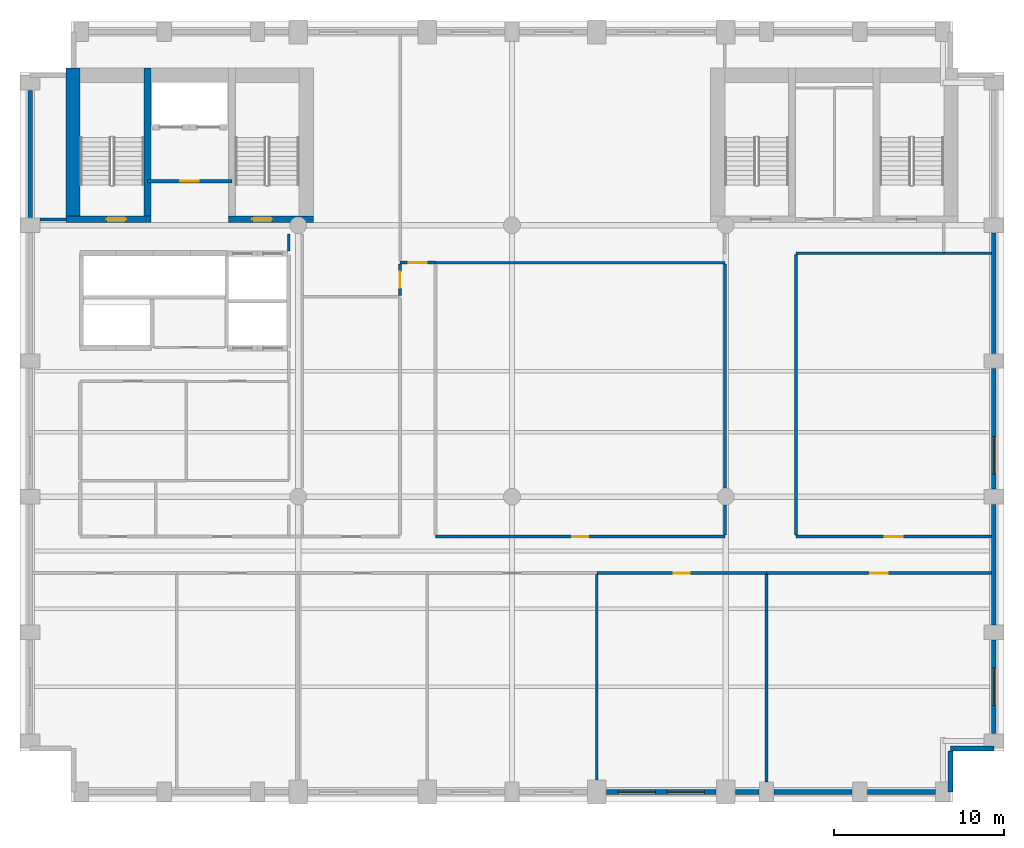
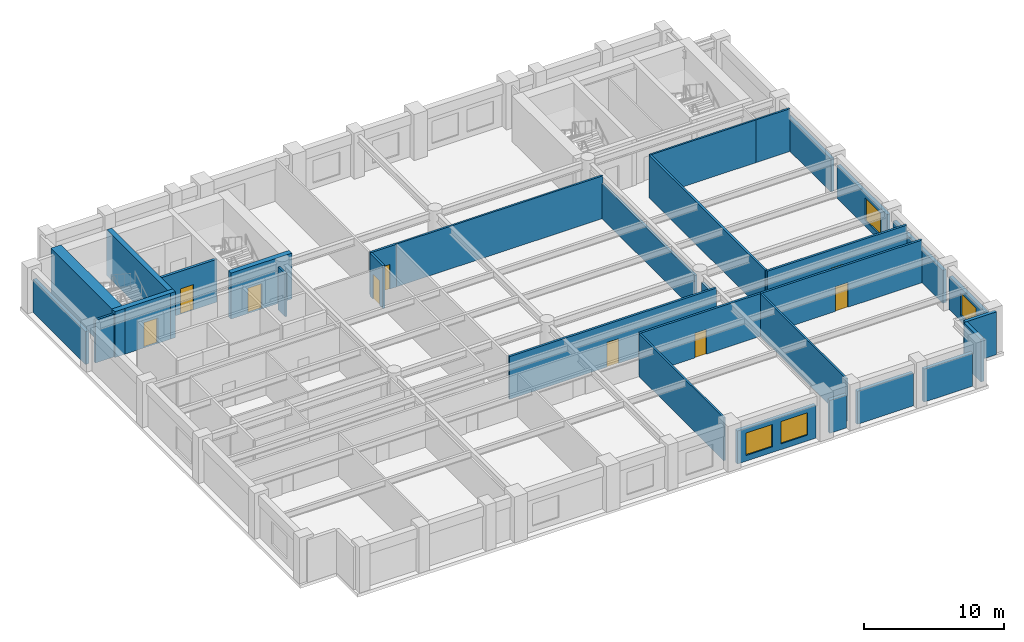
# One storey, part 4 of 8: 32 walls, 9 doors, 4 windows, 13 openings.
"""IFC4 building model written with IfcOpenShell, lengths in metres."""

from ifc_helpers import new_model, si_unit, direction, frame, frame_2d, origin, place, context, subcontext, project, spatial, rectangle, extrude, material, layer, layer_set, type_object, element, fill, save


model = new_model("IFC4")

# Units and contexts
model_context = context("Model", 3, precision=1e-05, world=origin(), true_north=direction((0.0, 1.0)))
body_context = subcontext(model_context, "Body", "Model", "MODEL_VIEW")
ifc_project = project(units=[si_unit("LENGTHUNIT", "METRE"), si_unit("AREAUNIT", "SQUARE_METRE"), si_unit("VOLUMEUNIT", "CUBIC_METRE"), si_unit("PLANEANGLEUNIT", "RADIAN"), si_unit("MASSUNIT", "GRAM", prefix="KILO")], contexts=[model_context])

# Site, building, storey
site_placement = place(None, origin())
site = spatial("IfcSite", under=ifc_project, at=site_placement, CompositionType="ELEMENT")
building_placement = place(site_placement, origin())
building = spatial("IfcBuilding", under=site, at=building_placement, Name="Sulina Concourse Tower", CompositionType="ELEMENT")
storey_placement = place(building_placement, frame((0.0, 0.0, 132.60009765625)))
storey = spatial("IfcBuildingStorey", under=building, at=storey_placement, Name="L32", CompositionType="ELEMENT", Elevation=132.60009765625)

# Wall, opening, door
ifc_material_1 = material(Name="Gypsum board on steel stud", Category="steel")
ifc_layer_1 = layer(ifc_material_1, 0.219970703125)
ifc_layer_set_1 = layer_set([ifc_layer_1], Name="Gypsum board on steel stud")
wall_type_1 = type_object("IfcWallType", Name="Fire-Rated Lobby & Compartment Wall 220mm", PredefinedType="PARTITIONING", material=ifc_layer_set_1)
wall_1_placement = place(storey_placement, frame((7.510009765625, 36.60009765625, 0.0), z_axis=(0.0, 0.0, 1.0), x_axis=(1.0, 0.0, 0.0)))
wall_1 = element("IfcWall", 1, at=wall_1_placement, inside=storey, type_object=wall_type_1, Name="L32 firefighting lobby south fire wall", PredefinedType="PARTITIONING", context=body_context, shape_type="SweptSolid", body=[
    extrude(rectangle(XDim=4.97998046875, YDim=0.219970703125, at=frame_2d((2.489990234375, 0.0))), origin(), (0.0, 0.0, 1.0), 3.724853515625),
])
opening_1_placement = place(wall_1_placement, frame((1.93994140625, 0.0, 0.0)))
opening_1 = element("IfcOpeningElement", 2, at=opening_1_placement, cuts=wall_1, Name="Opening DR-47", PredefinedType="OPENING", context=body_context, shape_type="SweptSolid", body=[
    extrude(rectangle(XDim=1.10009765625, YDim=2.199951171875, at=frame_2d((0.550048828125, 1.10009765625))), frame((0.0, 0.119873046875, 0.0), z_axis=(0.0, -1.0, 0.0), x_axis=(1.0, 0.0, 0.0)), (0.0, 0.0, 1.0), 0.239990234375),
])
ifc_material_2 = material(Name="Galvanised steel acoustic fire leaf", Category="steel")
ifc_layer_2 = layer(ifc_material_2, 0.054931640625)
ifc_layer_set_2 = layer_set([ifc_layer_2], Name="Galvanised steel acoustic fire leaf")
door_type_1 = type_object("IfcDoorType", Name="Firefighting Lobby Fire Door 1100x2200", OperationType="NOTDEFINED", PredefinedType="DOOR", material=ifc_layer_set_2)
door_1_placement = place(opening_1_placement, origin())
door_1 = element("IfcDoor", 3, at=door_1_placement, inside=storey, type_object=door_type_1, Name="L32 firefighting lobby fire door", OperationType="SINGLE_SWING_LEFT", OverallHeight=2.199951171875, OverallWidth=1.10009765625, PredefinedType="DOOR", context=body_context, shape_type="SweptSolid", body=[
    extrude(rectangle(XDim=1.10009765625, YDim=2.199951171875, at=frame_2d((0.550048828125, 1.10009765625))), frame((0.0, 0.02490234375, 0.0), z_axis=(0.0, -1.0, 0.0), x_axis=(1.0, 0.0, 0.0)), (0.0, 0.0, 1.0), 0.050048828125),
])
fill(opening_1, door_1)

# Walls
ifc_material_3 = material(Name="Gypsum board on steel stud", Category="steel")
ifc_layer_3 = layer(ifc_material_3, 0.14990234375)
ifc_layer_set_3 = layer_set([ifc_layer_3], Name="Gypsum board on steel stud")
wall_type_2 = type_object("IfcWallType", Name="Inter-Tenancy Acoustic Partition 150mm", PredefinedType="PARTITIONING", material=ifc_layer_set_3)
wall_2_placement = place(storey_placement, frame((24.5, 31.800048828125, 0.0), z_axis=(0.0, 0.0, 1.0), x_axis=(1.0, 0.0, 0.0)))
element("IfcWall", 4, at=wall_2_placement, inside=storey, type_object=wall_type_2, Name="L32 interior partition 021", PredefinedType="PARTITIONING", context=body_context, shape_type="SweptSolid", body=[
    extrude(rectangle(XDim=17.050048828125, YDim=0.14990234375, at=frame_2d((8.52490234375, 0.0))), origin(), (0.0, 0.0, 1.0), 3.724853515625),
])
wall_3_placement = place(storey_placement, frame((45.75, 32.35009765625, 0.0), z_axis=(0.0, 0.0, 1.0), x_axis=(1.0, 0.0, 0.0)))
element("IfcWall", 5, at=wall_3_placement, inside=storey, type_object=wall_type_2, Name="L32 interior partition 022", PredefinedType="PARTITIONING", context=body_context, shape_type="SweptSolid", body=[
    extrude(rectangle(XDim=8.699951171875, YDim=0.14990234375, at=frame_2d((4.35009765625, 0.0))), origin(), (0.0, 0.0, 1.0), 3.724853515625),
])
wall_4_placement = place(storey_placement, frame((54.449951171875, 32.35009765625, 0.0), z_axis=(0.0, 0.0, 1.0), x_axis=(1.0, 0.0, 0.0)))
element("IfcWall", 6, at=wall_4_placement, inside=storey, type_object=wall_type_2, Name="L32 interior partition 023", PredefinedType="PARTITIONING", context=body_context, shape_type="SweptSolid", body=[
    extrude(rectangle(XDim=2.81005859375, YDim=0.14990234375, at=frame_2d((1.405029296875, 0.0))), origin(), (0.0, 0.0, 1.0), 3.724853515625),
])
wall_5_placement = place(storey_placement, frame((15.85009765625, 32.469970703125, 0.0), z_axis=(0.0, 0.0, 1.0), x_axis=(0.0, 1.0, 0.0)))
element("IfcWall", 7, at=wall_5_placement, inside=storey, type_object=wall_type_2, Name="L32 interior partition 035", PredefinedType="PARTITIONING", context=body_context, shape_type="SweptSolid", body=[
    extrude(rectangle(XDim=1.030029296875, YDim=0.14990234375, at=frame_2d((0.51513671875, 0.0))), origin(), (0.0, 0.0, 1.0), 3.724853515625),
])
wall_6_placement = place(storey_placement, frame((34.0, 1.300048828125, 0.0), z_axis=(0.0, 0.0, 1.0), x_axis=(0.0, 1.0, 0.0)))
element("IfcWall", 8, at=wall_6_placement, inside=storey, type_object=wall_type_2, Name="L32 interior partition 045", PredefinedType="PARTITIONING", context=body_context, shape_type="SweptSolid", body=[
    extrude(rectangle(XDim=12.10986328125, YDim=0.14990234375, at=frame_2d((6.054931640625, 0.0))), origin(), (0.0, 0.0, 1.0), 3.724853515625),
])
wall_7_placement = place(storey_placement, frame((44.0, 1.175048828125, 0.0), z_axis=(0.0, 0.0, 1.0), x_axis=(0.0, 1.0, 0.0)))
element("IfcWall", 9, at=wall_7_placement, inside=storey, type_object=wall_type_2, Name="L32 interior partition 050", PredefinedType="PARTITIONING", context=body_context, shape_type="SweptSolid", body=[
    extrude(rectangle(XDim=12.23486328125, YDim=0.14990234375, at=frame_2d((6.117431640625, 0.0))), origin(), (0.0, 0.0, 1.0), 3.724853515625),
])

# Wall, opening, door
ifc_material_4 = material(Name="Gypsum board on steel stud", Category="steel")
ifc_layer_4 = layer(ifc_material_4, 0.179931640625)
ifc_layer_set_4 = layer_set([ifc_layer_4], Name="Gypsum board on steel stud")
wall_type_3 = type_object("IfcWallType", Name="Protected Corridor & Riser Partition 180mm", PredefinedType="PARTITIONING", material=ifc_layer_set_4)
wall_8_placement = place(storey_placement, frame((34.0, 13.5, 0.0), z_axis=(0.0, 0.0, 1.0), x_axis=(1.0, 0.0, 0.0)))
wall_8 = element("IfcWall", 10, at=wall_8_placement, inside=storey, type_object=wall_type_3, Name="L32 interior partition 005", PredefinedType="PARTITIONING", context=body_context, shape_type="SweptSolid", body=[
    extrude(rectangle(XDim=10.0, YDim=0.179931640625, at=frame_2d((5.0, 0.0))), origin(), (0.0, 0.0, 1.0), 3.724853515625),
])
opening_2_placement = place(wall_8_placement, frame((4.52490234375, 0.0, 0.0)))
opening_2 = element("IfcOpeningElement", 11, at=opening_2_placement, cuts=wall_8, Name="Opening DR-19", PredefinedType="OPENING", context=body_context, shape_type="SweptSolid", body=[
    extrude(rectangle(XDim=0.949951171875, YDim=2.14990234375, at=frame_2d((0.47509765625, 1.074951171875))), frame((0.0, 0.099853515625, 0.0), z_axis=(0.0, -1.0, 0.0), x_axis=(1.0, 0.0, 0.0)), (0.0, 0.0, 1.0), 0.199951171875),
])
ifc_material_5 = material(Name="Oak-veneered acoustic timber leaf", Category="wood")
ifc_layer_5 = layer(ifc_material_5, 0.050048828125)
ifc_layer_set_5 = layer_set([ifc_layer_5], Name="Oak-veneered acoustic timber leaf")
door_type_2 = type_object("IfcDoorType", Name="Cellular Office & Meeting Door 950x2150", OperationType="NOTDEFINED", PredefinedType="DOOR", material=ifc_layer_set_5)
door_2_placement = place(opening_2_placement, origin())
door_2 = element("IfcDoor", 12, at=door_2_placement, inside=storey, type_object=door_type_2, Name="L32 interior door L32-S05", OperationType="SINGLE_SWING_RIGHT", OverallHeight=2.14990234375, OverallWidth=0.949951171875, PredefinedType="DOOR", context=body_context, shape_type="SweptSolid", body=[
    extrude(rectangle(XDim=0.949951171875, YDim=2.14990234375, at=frame_2d((0.47509765625, 1.074951171875))), frame((0.0, 0.02490234375, 0.0), z_axis=(0.0, -1.0, 0.0), x_axis=(1.0, 0.0, 0.0)), (0.0, 0.0, 1.0), 0.050048828125),
])
fill(opening_2, door_2)

wall_9_placement = place(storey_placement, frame((44.0, 13.5, 0.0), z_axis=(0.0, 0.0, 1.0), x_axis=(1.0, 0.0, 0.0)))
wall_9 = element("IfcWall", 13, at=wall_9_placement, inside=storey, type_object=wall_type_3, Name="L32 interior partition 006", PredefinedType="PARTITIONING", context=body_context, shape_type="SweptSolid", body=[
    extrude(rectangle(XDim=13.260009765625, YDim=0.179931640625, at=frame_2d((6.6298828125, 0.0))), origin(), (0.0, 0.0, 1.0), 3.724853515625),
])
opening_3_placement = place(wall_9_placement, frame((6.10498046875, 0.0, 0.0)))
opening_3 = element("IfcOpeningElement", 14, at=opening_3_placement, cuts=wall_9, Name="Opening DR-37", PredefinedType="OPENING", context=body_context, shape_type="SweptSolid", body=[
    extrude(rectangle(XDim=1.050048828125, YDim=2.14990234375, at=frame_2d((0.52490234375, 1.074951171875))), frame((0.0, 0.099853515625, 0.0), z_axis=(0.0, -1.0, 0.0), x_axis=(1.0, 0.0, 0.0)), (0.0, 0.0, 1.0), 0.199951171875),
])
ifc_material_6 = material(Name="Oak-veneered fire door leaf")
ifc_layer_6 = layer(ifc_material_6, 0.050048828125)
ifc_layer_set_6 = layer_set([ifc_layer_6], Name="Oak-veneered fire door leaf")
door_type_3 = type_object("IfcDoorType", Name="Tenant Suite Entrance Fire Door 1050x2150", OperationType="NOTDEFINED", PredefinedType="DOOR", material=ifc_layer_set_6)
door_3_placement = place(opening_3_placement, origin())
door_3 = element("IfcDoor", 15, at=door_3_placement, inside=storey, type_object=door_type_3, Name="L32 interior door L32-S06", OperationType="SINGLE_SWING_LEFT", OverallHeight=2.14990234375, OverallWidth=1.050048828125, PredefinedType="DOOR", context=body_context, shape_type="SweptSolid", body=[
    extrude(rectangle(XDim=1.050048828125, YDim=2.14990234375, at=frame_2d((0.52490234375, 1.074951171875))), frame((0.0, 0.02490234375, 0.0), z_axis=(0.0, -1.0, 0.0), x_axis=(1.0, 0.0, 0.0)), (0.0, 0.0, 1.0), 0.050048828125),
])
fill(opening_3, door_3)

wall_10_placement = place(storey_placement, frame((24.5, 15.64990234375, 0.0), z_axis=(0.0, 0.0, 1.0), x_axis=(1.0, 0.0, 0.0)))
wall_10 = element("IfcWall", 16, at=wall_10_placement, inside=storey, type_object=wall_type_3, Name="L32 interior partition 011", PredefinedType="PARTITIONING", context=body_context, shape_type="SweptSolid", body=[
    extrude(rectangle(XDim=17.050048828125, YDim=0.179931640625, at=frame_2d((8.52490234375, 0.0))), origin(), (0.0, 0.0, 1.0), 3.724853515625),
])
opening_4_placement = place(wall_10_placement, frame((8.050048828125, 0.0, 0.0)))
opening_4 = element("IfcOpeningElement", 17, at=opening_4_placement, cuts=wall_10, Name="Opening DR-19", PredefinedType="OPENING", context=body_context, shape_type="SweptSolid", body=[
    extrude(rectangle(XDim=0.949951171875, YDim=2.14990234375, at=frame_2d((0.47509765625, 1.074951171875))), frame((0.0, 0.099853515625, 0.0), z_axis=(0.0, -1.0, 0.0), x_axis=(1.0, 0.0, 0.0)), (0.0, 0.0, 1.0), 0.199951171875),
])
door_4_placement = place(opening_4_placement, origin())
door_4 = element("IfcDoor", 18, at=door_4_placement, inside=storey, type_object=door_type_2, Name="L32 interior door L32-NC3", OperationType="SINGLE_SWING_LEFT", OverallHeight=2.14990234375, OverallWidth=0.949951171875, PredefinedType="DOOR", context=body_context, shape_type="SweptSolid", body=[
    extrude(rectangle(XDim=0.949951171875, YDim=2.14990234375, at=frame_2d((0.47509765625, 1.074951171875))), frame((0.0, 0.02490234375, 0.0), z_axis=(0.0, -1.0, 0.0), x_axis=(1.0, 0.0, 0.0)), (0.0, 0.0, 1.0), 0.050048828125),
])
fill(opening_4, door_4)

wall_11_placement = place(storey_placement, frame((45.75, 15.64990234375, 0.0), z_axis=(0.0, 0.0, 1.0), x_axis=(1.0, 0.0, 0.0)))
wall_11 = element("IfcWall", 19, at=wall_11_placement, inside=storey, type_object=wall_type_3, Name="L32 interior partition 012", PredefinedType="PARTITIONING", context=body_context, shape_type="SweptSolid", body=[
    extrude(rectangle(XDim=11.510009765625, YDim=0.179931640625, at=frame_2d((5.7548828125, 0.0))), origin(), (0.0, 0.0, 1.0), 3.724853515625),
])
opening_5_placement = place(wall_11_placement, frame((5.22998046875, 0.0, 0.0)))
opening_5 = element("IfcOpeningElement", 20, at=opening_5_placement, cuts=wall_11, Name="Opening DR-37", PredefinedType="OPENING", context=body_context, shape_type="SweptSolid", body=[
    extrude(rectangle(XDim=1.050048828125, YDim=2.14990234375, at=frame_2d((0.52490234375, 1.074951171875))), frame((0.0, 0.099853515625, 0.0), z_axis=(0.0, -1.0, 0.0), x_axis=(1.0, 0.0, 0.0)), (0.0, 0.0, 1.0), 0.199951171875),
])
door_5_placement = place(opening_5_placement, origin())
door_5 = element("IfcDoor", 21, at=door_5_placement, inside=storey, type_object=door_type_3, Name="L32 interior door L32-NE1", OperationType="SINGLE_SWING_RIGHT", OverallHeight=2.14990234375, OverallWidth=1.050048828125, PredefinedType="DOOR", context=body_context, shape_type="SweptSolid", body=[
    extrude(rectangle(XDim=1.050048828125, YDim=2.14990234375, at=frame_2d((0.52490234375, 1.074951171875))), frame((0.0, 0.02490234375, 0.0), z_axis=(0.0, -1.0, 0.0), x_axis=(1.0, 0.0, 0.0)), (0.0, 0.0, 1.0), 0.050048828125),
])
fill(opening_5, door_5)

wall_12_placement = place(storey_placement, frame((22.39990234375, 31.800048828125, 0.0), z_axis=(0.0, 0.0, 1.0), x_axis=(1.0, 0.0, 0.0)))
wall_12 = element("IfcWall", 22, at=wall_12_placement, inside=storey, type_object=wall_type_3, Name="L32 interior partition 020", PredefinedType="PARTITIONING", context=body_context, shape_type="SweptSolid", body=[
    extrude(rectangle(XDim=2.10009765625, YDim=0.179931640625, at=frame_2d((1.050048828125, 0.0))), origin(), (0.0, 0.0, 1.0), 3.724853515625),
])
opening_6_placement = place(wall_12_placement, frame((0.52490234375, 0.0, 0.0)))
opening_6 = element("IfcOpeningElement", 23, at=opening_6_placement, cuts=wall_12, Name="Opening DR-37", PredefinedType="OPENING", context=body_context, shape_type="SweptSolid", body=[
    extrude(rectangle(XDim=1.050048828125, YDim=2.14990234375, at=frame_2d((0.52490234375, 1.074951171875))), frame((0.0, 0.099853515625, 0.0), z_axis=(0.0, -1.0, 0.0), x_axis=(1.0, 0.0, 0.0)), (0.0, 0.0, 1.0), 0.199951171875),
])
door_6_placement = place(opening_6_placement, origin())
door_6 = element("IfcDoor", 24, at=door_6_placement, inside=storey, type_object=door_type_3, Name="L32 interior door L32-NC4", OperationType="SINGLE_SWING_RIGHT", OverallHeight=2.14990234375, OverallWidth=1.050048828125, PredefinedType="DOOR", context=body_context, shape_type="SweptSolid", body=[
    extrude(rectangle(XDim=1.050048828125, YDim=2.14990234375, at=frame_2d((0.52490234375, 1.074951171875))), frame((0.0, 0.02490234375, 0.0), z_axis=(0.0, -1.0, 0.0), x_axis=(1.0, 0.0, 0.0)), (0.0, 0.0, 1.0), 0.050048828125),
])
fill(opening_6, door_6)

# Wall
wall_13_placement = place(storey_placement, frame((1.175048828125, 34.35009765625, 0.0), z_axis=(0.0, 0.0, 1.0), x_axis=(1.0, 0.0, 0.0)))
element("IfcWall", 25, at=wall_13_placement, inside=storey, type_object=wall_type_3, Name="L32 interior partition 024", PredefinedType="PARTITIONING", context=body_context, shape_type="SweptSolid", body=[
    extrude(rectangle(XDim=1.52490234375, YDim=0.179931640625, at=frame_2d((0.762451171875, 0.0))), origin(), (0.0, 0.0, 1.0), 3.724853515625),
])

# Wall, opening, door
wall_14_placement = place(storey_placement, frame((22.39990234375, 29.875, 0.0), z_axis=(0.0, 0.0, 1.0), x_axis=(0.0, 1.0, 0.0)))
wall_14 = element("IfcWall", 26, at=wall_14_placement, inside=storey, type_object=wall_type_3, Name="L32 interior partition 041", PredefinedType="PARTITIONING", context=body_context, shape_type="SweptSolid", body=[
    extrude(rectangle(XDim=1.8349609375, YDim=0.179931640625, at=frame_2d((0.91748046875, 0.0))), origin(), (0.0, 0.0, 1.0), 3.724853515625),
])
opening_7_placement = place(wall_14_placement, frame((0.4423828125, 0.0, 0.0)))
opening_7 = element("IfcOpeningElement", 27, at=opening_7_placement, cuts=wall_14, Name="Opening DR-19", PredefinedType="OPENING", context=body_context, shape_type="SweptSolid", body=[
    extrude(rectangle(XDim=0.949951171875, YDim=2.14990234375, at=frame_2d((0.47509765625, 1.074951171875))), frame((0.0, 0.099853515625, 0.0), z_axis=(0.0, -1.0, 0.0), x_axis=(1.0, 0.0, 0.0)), (0.0, 0.0, 1.0), 0.199951171875),
])
door_7_placement = place(opening_7_placement, origin())
door_7 = element("IfcDoor", 28, at=door_7_placement, inside=storey, type_object=door_type_2, Name="L32 interior door L32-NC2", OperationType="SINGLE_SWING_LEFT", OverallHeight=2.14990234375, OverallWidth=0.949951171875, PredefinedType="DOOR", context=body_context, shape_type="SweptSolid", body=[
    extrude(rectangle(XDim=0.949951171875, YDim=2.14990234375, at=frame_2d((0.47509765625, 1.074951171875))), frame((0.0, 0.02490234375, 0.0), z_axis=(0.0, -1.0, 0.0), x_axis=(1.0, 0.0, 0.0)), (0.0, 0.0, 1.0), 0.050048828125),
])
fill(opening_7, door_7)

# Walls
wall_15_placement = place(storey_placement, frame((41.550048828125, 15.739990234375, 0.0), z_axis=(0.0, 0.0, 1.0), x_axis=(0.0, 1.0, 0.0)))
element("IfcWall", 29, at=wall_15_placement, inside=storey, type_object=wall_type_3, Name="L32 interior partition 046", PredefinedType="PARTITIONING", context=body_context, shape_type="SweptSolid", body=[
    extrude(rectangle(XDim=1.760009765625, YDim=0.179931640625, at=frame_2d((0.8798828125, 0.0))), origin(), (0.0, 0.0, 1.0), 3.06982421875),
])
wall_16_placement = place(storey_placement, frame((41.550048828125, 18.5, 0.0), z_axis=(0.0, 0.0, 1.0), x_axis=(0.0, 1.0, 0.0)))
element("IfcWall", 30, at=wall_16_placement, inside=storey, type_object=wall_type_3, Name="L32 interior partition 047", PredefinedType="PARTITIONING", context=body_context, shape_type="SweptSolid", body=[
    extrude(rectangle(XDim=13.22509765625, YDim=0.179931640625, at=frame_2d((6.612548828125, 0.0))), origin(), (0.0, 0.0, 1.0), 3.06982421875),
])
wall_17_placement = place(storey_placement, frame((45.75, 15.739990234375, 0.0), z_axis=(0.0, 0.0, 1.0), x_axis=(0.0, 1.0, 0.0)))
element("IfcWall", 31, at=wall_17_placement, inside=storey, type_object=wall_type_3, Name="L32 interior partition 051", PredefinedType="PARTITIONING", context=body_context, shape_type="SweptSolid", body=[
    extrude(rectangle(XDim=16.534912109375, YDim=0.179931640625, at=frame_2d((8.267578125, 0.0))), origin(), (0.0, 0.0, 1.0), 3.724853515625),
])

# Wall, opening, door
ifc_material_7 = material(Name="Concrete C60/75", Category="concrete")
ifc_layer_7 = layer(ifc_material_7, 0.39990234375)
ifc_layer_set_7 = layer_set([ifc_layer_7], Name="Concrete C60/75")
wall_type_4 = type_object("IfcWallType", Name="Protected Stair Core Shear Wall 400mm", PredefinedType="SHEAR", material=ifc_layer_set_7)
wall_18_placement = place(storey_placement, frame((2.699951171875, 34.35009765625, 0.0), z_axis=(0.0, 0.0, 1.0), x_axis=(1.0, 0.0, 0.0)))
wall_18 = element("IfcWall", 32, at=wall_18_placement, inside=storey, type_object=wall_type_4, Name="L32 west core shear wall CW-WS1", PredefinedType="SHEAR", context=body_context, shape_type="SweptSolid", body=[
    extrude(rectangle(XDim=5.010009765625, YDim=0.39990234375, at=frame_2d((2.5048828125, 0.0))), origin(), (0.0, 0.0, 1.0), 4.0),
])
opening_8_placement = place(wall_18_placement, frame((2.39990234375, 0.0, 0.0)))
opening_8 = element("IfcOpeningElement", 33, at=opening_8_placement, cuts=wall_18, Name="Opening DR-60", PredefinedType="OPENING", context=body_context, shape_type="SweptSolid", body=[
    extrude(rectangle(XDim=1.14990234375, YDim=2.199951171875, at=frame_2d((0.574951171875, 1.10009765625))), frame((0.0, 0.2099609375, 0.0), z_axis=(0.0, -1.0, 0.0), x_axis=(1.0, 0.0, 0.0)), (0.0, 0.0, 1.0), 0.419921875),
])
ifc_material_8 = material(Name="Galvanised steel acoustic fire leaf", Category="steel")
ifc_layer_8 = layer(ifc_material_8, 0.054931640625)
ifc_layer_set_8 = layer_set([ifc_layer_8], Name="Galvanised steel acoustic fire leaf")
door_type_4 = type_object("IfcDoorType", Name="Protected Exit Stair Fire Door 1150x2200", OperationType="NOTDEFINED", PredefinedType="DOOR", material=ifc_layer_set_8)
door_8_placement = place(opening_8_placement, origin())
door_8 = element("IfcDoor", 34, at=door_8_placement, inside=storey, type_object=door_type_4, Name="L32 stair ST-1 lobby fire door", OperationType="SINGLE_SWING_LEFT", OverallHeight=2.199951171875, OverallWidth=1.14990234375, PredefinedType="DOOR", context=body_context, shape_type="SweptSolid", body=[
    extrude(rectangle(XDim=1.14990234375, YDim=2.199951171875, at=frame_2d((0.574951171875, 1.10009765625))), frame((0.0, 0.02490234375, 0.0), z_axis=(0.0, -1.0, 0.0), x_axis=(1.0, 0.0, 0.0)), (0.0, 0.0, 1.0), 0.050048828125),
])
fill(opening_8, door_8)

wall_19_placement = place(storey_placement, frame((12.2900390625, 34.35009765625, 0.0), z_axis=(0.0, 0.0, 1.0), x_axis=(1.0, 0.0, 0.0)))
wall_19 = element("IfcWall", 35, at=wall_19_placement, inside=storey, type_object=wall_type_4, Name="L32 west core shear wall CW-WS2", PredefinedType="SHEAR", context=body_context, shape_type="SweptSolid", body=[
    extrude(rectangle(XDim=5.010009765625, YDim=0.39990234375, at=frame_2d((2.5048828125, 0.0))), origin(), (0.0, 0.0, 1.0), 4.0),
])
opening_9_placement = place(wall_19_placement, frame((1.39990234375, 0.0, 0.0)))
opening_9 = element("IfcOpeningElement", 36, at=opening_9_placement, cuts=wall_19, Name="Opening DR-60", PredefinedType="OPENING", context=body_context, shape_type="SweptSolid", body=[
    extrude(rectangle(XDim=1.14990234375, YDim=2.199951171875, at=frame_2d((0.574951171875, 1.10009765625))), frame((0.0, 0.2099609375, 0.0), z_axis=(0.0, -1.0, 0.0), x_axis=(1.0, 0.0, 0.0)), (0.0, 0.0, 1.0), 0.419921875),
])
door_9_placement = place(opening_9_placement, origin())
door_9 = element("IfcDoor", 37, at=door_9_placement, inside=storey, type_object=door_type_4, Name="L32 stair ST-2 lobby fire door", OperationType="SINGLE_SWING_RIGHT", OverallHeight=2.199951171875, OverallWidth=1.14990234375, PredefinedType="DOOR", context=body_context, shape_type="SweptSolid", body=[
    extrude(rectangle(XDim=1.14990234375, YDim=2.199951171875, at=frame_2d((0.574951171875, 1.10009765625))), frame((0.0, 0.02490234375, 0.0), z_axis=(0.0, -1.0, 0.0), x_axis=(1.0, 0.0, 0.0)), (0.0, 0.0, 1.0), 0.050048828125),
])
fill(opening_9, door_9)

# Walls
wall_20_placement = place(storey_placement, frame((7.510009765625, 34.14990234375, 0.0), z_axis=(0.0, 0.0, 1.0), x_axis=(0.0, 1.0, 0.0)))
element("IfcWall", 38, at=wall_20_placement, inside=storey, type_object=wall_type_4, Name="L32 west core shear wall SW-ST1", PredefinedType="SHEAR", context=body_context, shape_type="SweptSolid", body=[
    extrude(rectangle(XDim=9.130126953125, YDim=0.39990234375, at=frame_2d((4.56494140625, 0.0))), origin(), (0.0, 0.0, 1.0), 4.0),
])
ifc_material_9 = material(Name="Concrete C60/75", Category="concrete")
ifc_layer_9 = layer(ifc_material_9, 0.85009765625)
ifc_layer_set_9 = layer_set([ifc_layer_9], Name="Concrete C60/75")
wall_type_5 = type_object("IfcWallType", Name="Rear Core Shear Wall 850mm", PredefinedType="SHEAR", material=ifc_layer_set_9)
wall_21_placement = place(storey_placement, frame((3.125, 34.14990234375, 0.0), z_axis=(0.0, 0.0, 1.0), x_axis=(0.0, 1.0, 0.0)))
element("IfcWall", 39, at=wall_21_placement, inside=storey, type_object=wall_type_5, Name="L32 west core shear wall CW-WW", PredefinedType="SHEAR", context=body_context, shape_type="SweptSolid", body=[
    extrude(rectangle(XDim=9.130126953125, YDim=0.85009765625, at=frame_2d((4.56494140625, 0.0))), origin(), (0.0, 0.0, 1.0), 4.0),
])

# Wall, openings, windows
ifc_material_10 = material(Name="Precast concrete C50/60", Category="concrete")
ifc_layer_10 = layer(ifc_material_10, 0.280029296875)
ifc_layer_set_10 = layer_set([ifc_layer_10], Name="Precast concrete C50/60")
wall_type_6 = type_object("IfcWallType", Name="Typical Precast Masonry-Frame Facade Wall 280mm", PredefinedType="SOLIDWALL", material=ifc_layer_set_10)
wall_22_placement = place(storey_placement, frame((41.030029296875, 0.60009765625, 0.0), z_axis=(0.0, 0.0, 1.0), x_axis=(-1.0, 0.0, 0.0)))
wall_22 = element("IfcWall", 40, at=wall_22_placement, inside=storey, type_object=wall_type_6, Name="L32 exterior precast wall S7", PredefinedType="SOLIDWALL", context=body_context, shape_type="SweptSolid", body=[
    extrude(rectangle(XDim=6.4599609375, YDim=0.280029296875, at=frame_2d((3.22998046875, 0.0))), origin(), (0.0, 0.0, 1.0), 2.875),
])
opening_10_placement = place(wall_22_placement, frame((0.686767578125, 0.0, 0.5)))
opening_10 = element("IfcOpeningElement", 41, at=opening_10_placement, cuts=wall_22, Name="Opening WN-76", PredefinedType="OPENING", context=body_context, shape_type="SweptSolid", body=[
    extrude(rectangle(XDim=2.199951171875, YDim=1.949951171875, at=frame_2d((1.10009765625, 0.97509765625))), frame((0.0, 0.14990234375, 0.0), z_axis=(0.0, -1.0, 0.0), x_axis=(1.0, 0.0, 0.0)), (0.0, 0.0, 1.0), 0.300048828125),
])
opening_11_placement = place(wall_22_placement, frame((3.5732421875, 0.0, 0.5)))
opening_11 = element("IfcOpeningElement", 42, at=opening_11_placement, cuts=wall_22, Name="Opening WN-76", PredefinedType="OPENING", context=body_context, shape_type="SweptSolid", body=[
    extrude(rectangle(XDim=2.199951171875, YDim=1.949951171875, at=frame_2d((1.10009765625, 0.97509765625))), frame((0.0, 0.14990234375, 0.0), z_axis=(0.0, -1.0, 0.0), x_axis=(1.0, 0.0, 0.0)), (0.0, 0.0, 1.0), 0.300048828125),
])
ifc_material_11 = material(Name="Low-E solar double glazing in bronze aluminium", Category="aluminium")
window_type = type_object("IfcWindowType", Name="Recessed Spandrel Window 2200x1950", PartitioningType="DOUBLE_PANEL_VERTICAL", PredefinedType="WINDOW", material=ifc_material_11)
window_1_placement = place(opening_10_placement, origin())
window_1 = element("IfcWindow", 43, at=window_1_placement, inside=storey, type_object=window_type, Name="L32 punched window S7-1", OverallHeight=1.949951171875, OverallWidth=2.199951171875, PartitioningType="SINGLE_PANEL", PredefinedType="WINDOW", context=body_context, shape_type="SweptSolid", body=[
    extrude(rectangle(XDim=2.199951171875, YDim=1.949951171875, at=frame_2d((1.10009765625, 0.97509765625))), frame((0.0, 0.030029296875, 0.0), z_axis=(0.0, -1.0, 0.0), x_axis=(1.0, 0.0, 0.0)), (0.0, 0.0, 1.0), 0.06005859375),
])
fill(opening_10, window_1)
window_2_placement = place(opening_11_placement, origin())
window_2 = element("IfcWindow", 44, at=window_2_placement, inside=storey, type_object=window_type, Name="L32 punched window S7-2", OverallHeight=1.949951171875, OverallWidth=2.199951171875, PartitioningType="SINGLE_PANEL", PredefinedType="WINDOW", context=body_context, shape_type="SweptSolid", body=[
    extrude(rectangle(XDim=2.199951171875, YDim=1.949951171875, at=frame_2d((1.10009765625, 0.97509765625))), frame((0.0, 0.030029296875, 0.0), z_axis=(0.0, -1.0, 0.0), x_axis=(1.0, 0.0, 0.0)), (0.0, 0.0, 1.0), 0.06005859375),
])
fill(opening_11, window_2)

# Walls
wall_23_placement = place(storey_placement, frame((43.554931640625, 0.60009765625, 0.0), z_axis=(0.0, 0.0, 1.0), x_axis=(-1.0, 0.0, 0.0)))
element("IfcWall", 45, at=wall_23_placement, inside=storey, type_object=wall_type_6, Name="L32 exterior precast wall S8", PredefinedType="SOLIDWALL", context=body_context, shape_type="SweptSolid", body=[
    extrude(rectangle(XDim=1.385009765625, YDim=0.280029296875, at=frame_2d((0.6923828125, 0.0))), origin(), (0.0, 0.0, 1.0), 2.875),
])
wall_24_placement = place(storey_placement, frame((49.054931640625, 0.60009765625, 0.0), z_axis=(0.0, 0.0, 1.0), x_axis=(-1.0, 0.0, 0.0)))
element("IfcWall", 46, at=wall_24_placement, inside=storey, type_object=wall_type_6, Name="L32 exterior precast wall S9", PredefinedType="SOLIDWALL", context=body_context, shape_type="SweptSolid", body=[
    extrude(rectangle(XDim=4.60986328125, YDim=0.280029296875, at=frame_2d((2.304931640625, 0.0))), origin(), (0.0, 0.0, 1.0), 2.875),
])
wall_25_placement = place(storey_placement, frame((53.955078125, 0.60009765625, 0.0), z_axis=(0.0, 0.0, 1.0), x_axis=(-1.0, 0.0, 0.0)))
element("IfcWall", 47, at=wall_25_placement, inside=storey, type_object=wall_type_6, Name="L32 exterior precast wall S10", PredefinedType="SOLIDWALL", context=body_context, shape_type="SweptSolid", body=[
    extrude(rectangle(XDim=4.010009765625, YDim=0.280029296875, at=frame_2d((2.0048828125, 0.0))), origin(), (0.0, 0.0, 1.0), 2.875),
])
wall_26_placement = place(storey_placement, frame((0.60009765625, 34.445068359375, 0.0), z_axis=(0.0, 0.0, 1.0), x_axis=(0.0, 1.0, 0.0)))
element("IfcWall", 48, at=wall_26_placement, inside=storey, type_object=wall_type_6, Name="L32 exterior precast wall W5", PredefinedType="SOLIDWALL", context=body_context, shape_type="SweptSolid", body=[
    extrude(rectangle(XDim=7.510009765625, YDim=0.280029296875, at=frame_2d((3.7548828125, 0.0))), origin(), (0.0, 0.0, 1.0), 2.875),
])

# Wall, opening, window
wall_27_placement = place(storey_placement, frame((57.39990234375, 9.554931640625, 0.0), z_axis=(0.0, 0.0, 1.0), x_axis=(0.0, -1.0, 0.0)))
wall_27 = element("IfcWall", 49, at=wall_27_placement, inside=storey, type_object=wall_type_6, Name="L32 exterior precast wall E1", PredefinedType="SOLIDWALL", context=body_context, shape_type="SweptSolid", body=[
    extrude(rectangle(XDim=5.510009765625, YDim=0.280029296875, at=frame_2d((2.7548828125, 0.0))), origin(), (0.0, 0.0, 1.0), 2.875),
])
opening_12_placement = place(wall_27_placement, frame((1.655029296875, 0.0, 0.5)))
opening_12 = element("IfcOpeningElement", 50, at=opening_12_placement, cuts=wall_27, Name="Opening WN-76", PredefinedType="OPENING", context=body_context, shape_type="SweptSolid", body=[
    extrude(rectangle(XDim=2.199951171875, YDim=1.949951171875, at=frame_2d((1.10009765625, 0.97509765625))), frame((0.0, 0.14990234375, 0.0), z_axis=(0.0, -1.0, 0.0), x_axis=(1.0, 0.0, 0.0)), (0.0, 0.0, 1.0), 0.300048828125),
])
window_3_placement = place(opening_12_placement, origin())
window_3 = element("IfcWindow", 51, at=window_3_placement, inside=storey, type_object=window_type, Name="L32 punched window E1-1", OverallHeight=1.949951171875, OverallWidth=2.199951171875, PartitioningType="SINGLE_PANEL", PredefinedType="WINDOW", context=body_context, shape_type="SweptSolid", body=[
    extrude(rectangle(XDim=2.199951171875, YDim=1.949951171875, at=frame_2d((1.10009765625, 0.97509765625))), frame((0.0, 0.030029296875, 0.0), z_axis=(0.0, -1.0, 0.0), x_axis=(1.0, 0.0, 0.0)), (0.0, 0.0, 1.0), 0.06005859375),
])
fill(opening_12, window_3)

# Wall
wall_28_placement = place(storey_placement, frame((57.39990234375, 17.554931640625, 0.0), z_axis=(0.0, 0.0, 1.0), x_axis=(0.0, -1.0, 0.0)))
element("IfcWall", 52, at=wall_28_placement, inside=storey, type_object=wall_type_6, Name="L32 exterior precast wall E2", PredefinedType="SOLIDWALL", context=body_context, shape_type="SweptSolid", body=[
    extrude(rectangle(XDim=7.10986328125, YDim=0.280029296875, at=frame_2d((3.554931640625, 0.0))), origin(), (0.0, 0.0, 1.0), 2.875),
])

# Wall, opening, window
wall_29_placement = place(storey_placement, frame((57.39990234375, 25.554931640625, 0.0), z_axis=(0.0, 0.0, 1.0), x_axis=(0.0, -1.0, 0.0)))
wall_29 = element("IfcWall", 53, at=wall_29_placement, inside=storey, type_object=wall_type_6, Name="L32 exterior precast wall E3", PredefinedType="SOLIDWALL", context=body_context, shape_type="SweptSolid", body=[
    extrude(rectangle(XDim=7.10986328125, YDim=0.280029296875, at=frame_2d((3.554931640625, 0.0))), origin(), (0.0, 0.0, 1.0), 2.875),
])
opening_13_placement = place(wall_29_placement, frame((4.006591796875, 0.0, 0.5)))
opening_13 = element("IfcOpeningElement", 54, at=opening_13_placement, cuts=wall_29, Name="Opening WN-76", PredefinedType="OPENING", context=body_context, shape_type="SweptSolid", body=[
    extrude(rectangle(XDim=2.199951171875, YDim=1.949951171875, at=frame_2d((1.10009765625, 0.97509765625))), frame((0.0, 0.14990234375, 0.0), z_axis=(0.0, -1.0, 0.0), x_axis=(1.0, 0.0, 0.0)), (0.0, 0.0, 1.0), 0.300048828125),
])
window_4_placement = place(opening_13_placement, origin())
window_4 = element("IfcWindow", 55, at=window_4_placement, inside=storey, type_object=window_type, Name="L32 punched window E3-1", OverallHeight=1.949951171875, OverallWidth=2.199951171875, PartitioningType="SINGLE_PANEL", PredefinedType="WINDOW", context=body_context, shape_type="SweptSolid", body=[
    extrude(rectangle(XDim=2.199951171875, YDim=1.949951171875, at=frame_2d((1.10009765625, 0.97509765625))), frame((0.0, 0.030029296875, 0.0), z_axis=(0.0, -1.0, 0.0), x_axis=(1.0, 0.0, 0.0)), (0.0, 0.0, 1.0), 0.06005859375),
])
fill(opening_13, window_4)

# Walls
wall_30_placement = place(storey_placement, frame((57.39990234375, 33.554931640625, 0.0), z_axis=(0.0, 0.0, 1.0), x_axis=(0.0, -1.0, 0.0)))
element("IfcWall", 56, at=wall_30_placement, inside=storey, type_object=wall_type_6, Name="L32 exterior precast wall E4", PredefinedType="SOLIDWALL", context=body_context, shape_type="SweptSolid", body=[
    extrude(rectangle(XDim=7.10986328125, YDim=0.280029296875, at=frame_2d((3.554931640625, 0.0))), origin(), (0.0, 0.0, 1.0), 2.875),
])
wall_31_placement = place(storey_placement, frame((57.39990234375, 3.155029296875, 0.0), z_axis=(0.0, 0.0, 1.0), x_axis=(-1.0, 0.0, 0.0)))
element("IfcWall", 57, at=wall_31_placement, inside=storey, type_object=wall_type_6, Name="L32 exterior precast wall CSE1", PredefinedType="SOLIDWALL", context=body_context, shape_type="SweptSolid", body=[
    extrude(rectangle(XDim=2.554931640625, YDim=0.280029296875, at=frame_2d((1.27734375, 0.0))), origin(), (0.0, 0.0, 1.0), 3.724853515625),
])
wall_32_placement = place(storey_placement, frame((54.844970703125, 3.010009765625, 0.0), z_axis=(0.0, 0.0, 1.0), x_axis=(0.0, -1.0, 0.0)))
element("IfcWall", 58, at=wall_32_placement, inside=storey, type_object=wall_type_6, Name="L32 exterior precast wall CSE2", PredefinedType="SOLIDWALL", context=body_context, shape_type="SweptSolid", body=[
    extrude(rectangle(XDim=2.409912109375, YDim=0.280029296875, at=frame_2d((1.205078125, 0.0))), origin(), (0.0, 0.0, 1.0), 3.724853515625),
])

save(model, "model.ifc")
